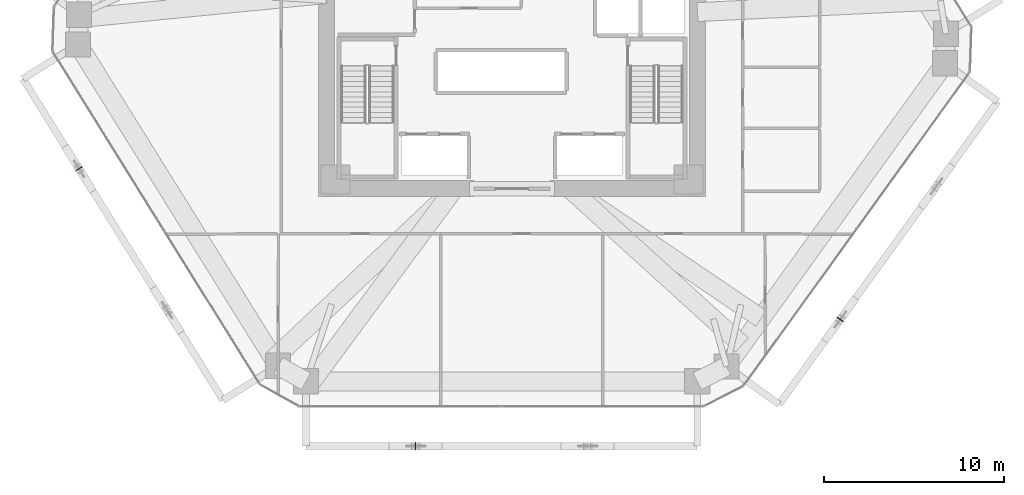
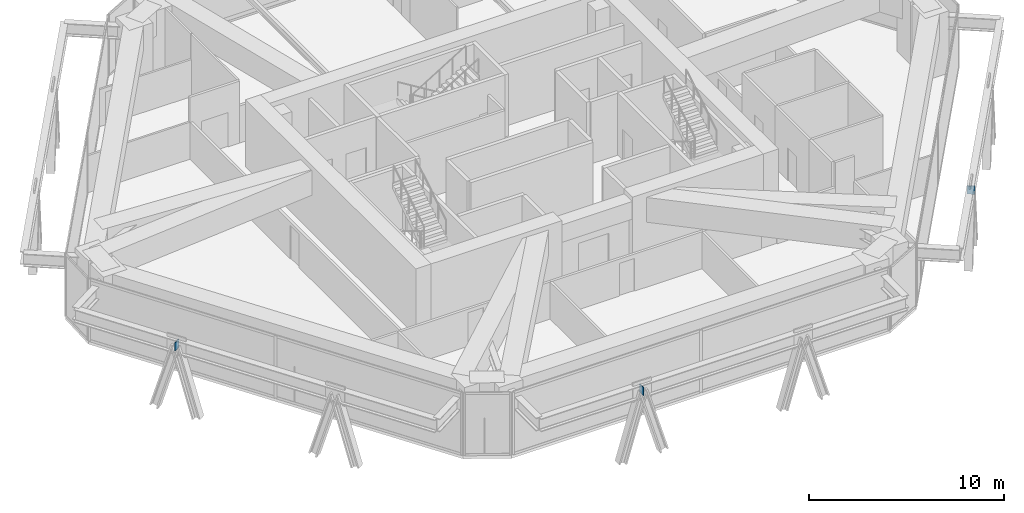
# One storey, part 11 of 16: 3 plates.
"""IFC4 building model written with IfcOpenShell, lengths in metres."""

from ifc_helpers import new_model, si_unit, direction, frame, origin, origin_2d, place, context, subcontext, project, spatial, rectangle, extrude, source, transform, mapped, material, layer, layer_set, type_object, type_shapes, element, save


model = new_model("IFC4")

# Units and contexts
model_context = context("Model", 3, precision=1e-05, world=origin(), true_north=direction((0.0, 1.0)))
body_context = subcontext(model_context, "Body", "Model", "MODEL_VIEW")
ifc_project = project(units=[si_unit("LENGTHUNIT", "METRE"), si_unit("AREAUNIT", "SQUARE_METRE"), si_unit("VOLUMEUNIT", "CUBIC_METRE"), si_unit("PLANEANGLEUNIT", "RADIAN"), si_unit("MASSUNIT", "GRAM", prefix="KILO")], contexts=[model_context])

# Site, building, storey
site_placement = place(None, origin())
site = spatial("IfcSite", under=ifc_project, at=site_placement, CompositionType="ELEMENT")
building_placement = place(site_placement, origin())
building = spatial("IfcBuilding", under=site, at=building_placement, Name="Durnholm Broadcast Tower", CompositionType="ELEMENT")
storey_placement = place(building_placement, frame((0.0, 0.0, 84.300048828125)))
storey = spatial("IfcBuildingStorey", under=building, at=storey_placement, Name="L22", CompositionType="ELEMENT", Elevation=84.300048828125)

# Plates
ifc_material = material(Name="Steel ASTM A572 Grade 50", Category="steel")
ifc_layer = layer(ifc_material, 0.044921875)
ifc_layer_set = layer_set([ifc_layer], Name="Steel ASTM A572 Grade 50")
plate_type = type_object("IfcPlateType", Name="PLT-KN-STIF", PredefinedType="SHEET", material=ifc_layer_set)
shared_shape = source(origin(), body_context, "Body", "SweptSolid", [
    extrude(rectangle(XDim=0.044921875, YDim=0.419921875, at=origin_2d()), origin(), (0.0, 0.0, 1.0), 0.52001953125),
])
type_shapes(plate_type, [shared_shape])
for number, where, z_axis, x_axis, name in (
    (1, (-5.351318359375, -22.60009765625, 2.888427734375), (0.0, 0.0, 1.0), (1.0, 0.0, 0.0), "L22 welded diagrid node stiffener plate F1"),
    (2, (18.223388671875, -15.56396484375, 2.888427734375), (0.0, 0.0, 1.0), (0.584816108738, 0.81116590101, 0.0), "L22 welded diagrid node stiffener plate F2"),
    (3, (-24.036376953125, -7.197509765625, 2.888427734375), (0.0, 0.0, 1.0), (0.528586500185, -0.848879444811, 0.0), "L22 welded diagrid node stiffener plate F6"),
):
    element("IfcPlate", number, at=place(storey_placement, frame(where, z_axis=z_axis, x_axis=x_axis)), inside=storey, type_object=plate_type, Name=name, PredefinedType="SHEET", context=body_context, shape_type="MappedRepresentation", body=[
        mapped(shared_shape, transform((0.0, 0.0, 0.0), x_axis=(1.0, 0.0, 0.0), y_axis=(0.0, 1.0, 0.0), z_axis=(0.0, 0.0, 1.0), scale=1.0)),
    ])

save(model, "model.ifc")
